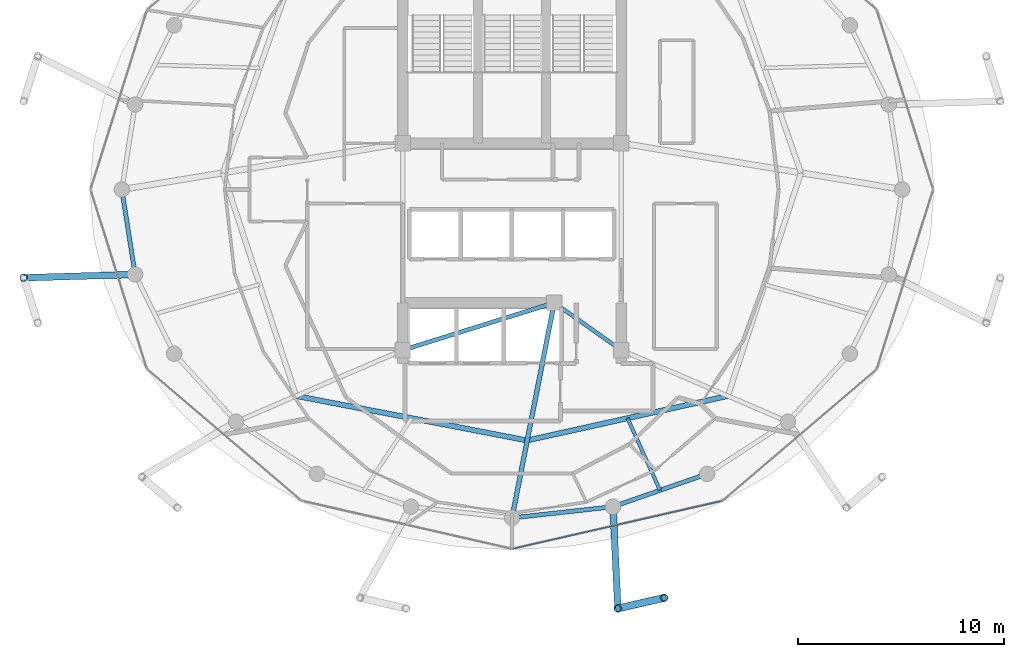
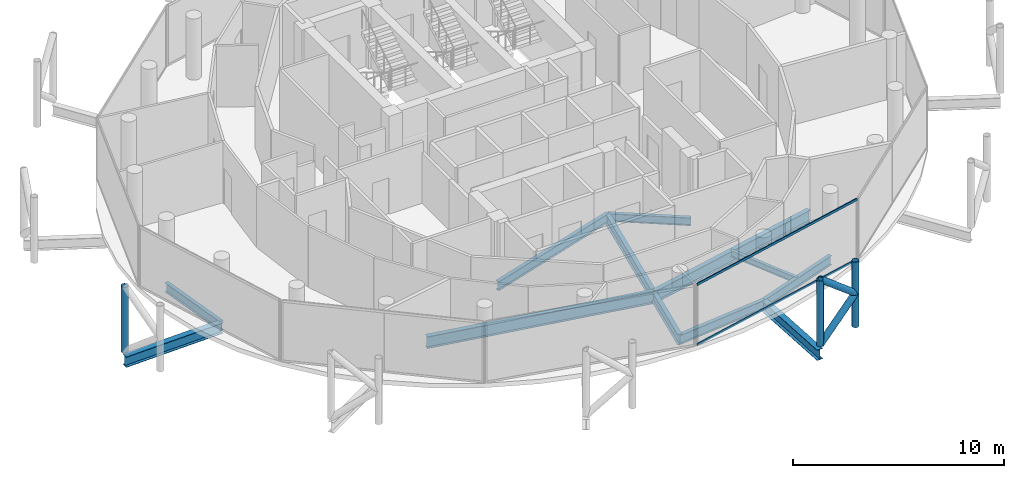
# One storey, part 5 of 24: 11 beams, 7 members, 1 element without a shape of its own.
"""IFC4 building model written with IfcOpenShell, lengths in metres."""

from ifc_helpers import new_model, si_unit, direction, frame, origin, origin_2d, place, context, subcontext, project, spatial, hollow_rectangle, hollow_circle, i_section, extrude, material, layer, layer_set, material_profile, profile_set, type_object, element, aggregate, save


model = new_model("IFC4")

# Units and contexts
model_context = context("Model", 3, precision=1e-05, world=origin(), true_north=direction((0.0, 1.0)))
body_context = subcontext(model_context, "Body", "Model", "MODEL_VIEW")
ifc_project = project(units=[si_unit("LENGTHUNIT", "METRE"), si_unit("AREAUNIT", "SQUARE_METRE"), si_unit("VOLUMEUNIT", "CUBIC_METRE"), si_unit("PLANEANGLEUNIT", "RADIAN"), si_unit("MASSUNIT", "GRAM", prefix="KILO")], contexts=[model_context])

# Site, building, storey
site_placement = place(None, origin())
site = spatial("IfcSite", under=ifc_project, at=site_placement, CompositionType="ELEMENT")
building_placement = place(site_placement, origin())
building = spatial("IfcBuilding", under=site, at=building_placement, Name="Nuhasar Tower", CompositionType="ELEMENT")
storey_placement = place(building_placement, frame((0.0, 0.0, 278.39990234375)))
storey = spatial("IfcBuildingStorey", under=building, at=storey_placement, Name="L69", CompositionType="ELEMENT", Elevation=278.39990234375)

# Beams
ifc_material_1 = material(Name="Steel S355", Category="steel")
ifc_material_profile_1 = material_profile(ifc_material_1, i_section(OverallWidth=0.25390625, OverallDepth=0.68408203125, WebThickness=0.012451171875, FlangeThickness=0.018798828125, at=origin_2d()), Name="W27X94")
ifc_profile_set_1 = profile_set([ifc_material_profile_1], Name="Steel S355")
beam_type_1 = type_object("IfcBeamType", Name="BM-INRING-W27X94", PredefinedType="BEAM", material=ifc_profile_set_1)
beam_1_placement = place(storey_placement, frame((28.51611328125, 16.77392578125, -0.601806640625), z_axis=(0.981944682954, -0.189168283859, 0.0), x_axis=(0.189168283859, 0.981944682954, 0.0)))
element("IfcBeam", 1, at=beam_1_placement, inside=storey, type_object=beam_type_1, Name="L69 Inner Header Beam 01", PredefinedType="BEAM", context=body_context, shape_type="SweptSolid", body=[
    extrude(i_section(OverallWidth=0.25390625, OverallDepth=0.68408203125, WebThickness=0.012451171875, FlangeThickness=0.018798828125, at=origin_2d()), origin(), (0.0, 0.0, 1.0), 11.42822265625),
])
beam_2_placement = place(storey_placement, frame((39.738037109375, 14.612060546875, -0.601806640625), z_axis=(0.97626927806, 0.216560145726, 0.0), x_axis=(-0.216560145726, 0.97626927806, 0.0)))
element("IfcBeam", 2, at=beam_2_placement, inside=storey, type_object=beam_type_1, Name="L69 Inner Header Beam 02", PredefinedType="BEAM", context=body_context, shape_type="SweptSolid", body=[
    extrude(i_section(OverallWidth=0.25390625, OverallDepth=0.68408203125, WebThickness=0.012451171875, FlangeThickness=0.018798828125, at=origin_2d()), origin(), (0.0, 0.0, 1.0), 9.982666015625),
])
ifc_material_profile_2 = material_profile(ifc_material_1, i_section(OverallWidth=0.1708984375, OverallDepth=0.35205078125, WebThickness=0.0068359375, FlangeThickness=0.009765625, at=origin_2d()), Name="W14X30")
ifc_profile_set_2 = profile_set([ifc_material_profile_2], Name="Steel S355")
beam_type_2 = type_object("IfcBeamType", Name="BM-JST-W14X30", PredefinedType="JOIST", material=ifc_profile_set_2)
beam_3_placement = place(storey_placement, frame((44.611083984375, 15.693115234375, -0.435791015625), z_axis=(0.41089033708, -0.911684776057, 0.0), x_axis=(0.911684776057, 0.41089033708, 0.0)))
element("IfcBeam", 3, at=beam_3_placement, inside=storey, type_object=beam_type_2, Name="L69 Secondary Floor Joist 02", PredefinedType="JOIST", context=body_context, shape_type="SweptSolid", body=[
    extrude(i_section(OverallWidth=0.1708984375, OverallDepth=0.35205078125, WebThickness=0.0068359375, FlangeThickness=0.009765625, at=origin_2d()), origin(), (0.0, 0.0, 1.0), 3.842529296875),
])
ifc_material_profile_3 = material_profile(ifc_material_1, i_section(OverallWidth=0.18994140625, OverallDepth=0.45703125, WebThickness=0.009033203125, FlangeThickness=0.014404296875, at=origin_2d()), Name="W18X50")
ifc_profile_set_3 = profile_set([ifc_material_profile_3], Name="Steel S355")
beam_type_3 = type_object("IfcBeamType", Name="BM-RAD-W18X50", PredefinedType="BEAM", material=ifc_profile_set_3)
beam_4_placement = place(storey_placement, frame((41.050048828125, 21.300048828125, -0.489013671875), z_axis=(0.816265428953, -0.577677028708, 0.0), x_axis=(0.577677028708, 0.816265428953, 0.0)))
element("IfcBeam", 4, at=beam_4_placement, inside=storey, type_object=beam_type_3, Name="L69 Core Ring Girder 2", PredefinedType="BEAM", context=body_context, shape_type="SweptSolid", body=[
    extrude(i_section(OverallWidth=0.18994140625, OverallDepth=0.45703125, WebThickness=0.009033203125, FlangeThickness=0.014404296875, at=origin_2d()), origin(), (0.0, 0.0, 1.0), 3.9814453125),
])
ifc_material_profile_4 = material_profile(ifc_material_1, i_section(OverallWidth=0.208984375, OverallDepth=0.528076171875, WebThickness=0.009521484375, FlangeThickness=0.01318359375, at=origin_2d()), Name="W21X55")
ifc_profile_set_4 = profile_set([ifc_material_profile_4], Name="Steel S355")
beam_type_4 = type_object("IfcBeamType", Name="BM-RAD-W21X55", PredefinedType="BEAM", material=ifc_profile_set_4)
beam_5_placement = place(storey_placement, frame((33.699951171875, 19.0, -0.52392578125), z_axis=(0.954363709454, 0.298646798205, 0.0), x_axis=(-0.298646798205, 0.954363709454, 0.0)))
element("IfcBeam", 5, at=beam_5_placement, inside=storey, type_object=beam_type_4, Name="L69 Core Ring Girder 1", PredefinedType="BEAM", context=body_context, shape_type="SweptSolid", body=[
    extrude(i_section(OverallWidth=0.208984375, OverallDepth=0.528076171875, WebThickness=0.009521484375, FlangeThickness=0.01318359375, at=origin_2d()), origin(), (0.0, 0.0, 1.0), 7.70166015625),
])
ifc_material_profile_5 = material_profile(ifc_material_1, i_section(OverallWidth=0.22900390625, OverallDepth=0.612060546875, WebThickness=0.011962890625, FlangeThickness=0.01953125, at=origin_2d()), Name="W24X84")
ifc_profile_set_5 = profile_set([ifc_material_profile_5], Name="Steel S355")
beam_type_5 = type_object("IfcBeamType", Name="BM-RAD-W24X84", PredefinedType="BEAM", material=ifc_profile_set_5)
beam_6_placement = place(storey_placement, frame((41.050048828125, 21.300048828125, -0.56591796875), z_axis=(-0.192508395576, -0.981295326409, 0.0), x_axis=(0.981295326409, -0.192508395576, 0.0)))
element("IfcBeam", 6, at=beam_6_placement, inside=storey, type_object=beam_type_5, Name="L69 Radial Floor Girder 02", PredefinedType="BEAM", context=body_context, shape_type="SweptSolid", body=[
    extrude(i_section(OverallWidth=0.22900390625, OverallDepth=0.612060546875, WebThickness=0.011962890625, FlangeThickness=0.01953125, at=origin_2d()), origin(), (0.0, 0.0, 1.0), 10.649169921875),
])
ifc_material_profile_6 = material_profile(ifc_material_1, i_section(OverallWidth=0.2099609375, OverallDepth=0.537109375, WebThickness=0.010986328125, FlangeThickness=0.017333984375, at=origin_2d()), Name="W21X68")
ifc_profile_set_6 = profile_set([ifc_material_profile_6], Name="Steel S355")
beam_type_6 = type_object("IfcBeamType", Name="BM-RING-W21X68", PredefinedType="SPANDREL", material=ifc_profile_set_6)
beam_7_placement = place(storey_placement, frame((20.050048828125, 26.800048828125, -0.52880859375), z_axis=(0.154612165232, -0.987975241776, 0.0), x_axis=(0.987975241776, 0.154612165232, 0.0)))
element("IfcBeam", 7, at=beam_7_placement, inside=storey, type_object=beam_type_6, Name="L69 Perimeter Ring Spandrel 13", PredefinedType="SPANDREL", context=body_context, shape_type="SweptSolid", body=[
    extrude(i_section(OverallWidth=0.2099609375, OverallDepth=0.537109375, WebThickness=0.010986328125, FlangeThickness=0.017333984375, at=origin_2d()), origin(), (0.0, 0.0, 1.0), 4.17822265625),
])
beam_8_placement = place(storey_placement, frame((39.0, 10.85009765625, -0.52880859375), z_axis=(0.99392889943, 0.110024283128, 0.0), x_axis=(-0.110024283128, 0.99392889943, 0.0)))
element("IfcBeam", 8, at=beam_8_placement, inside=storey, type_object=beam_type_6, Name="L69 Perimeter Ring Spandrel 19", PredefinedType="SPANDREL", context=body_context, shape_type="SweptSolid", body=[
    extrude(i_section(OverallWidth=0.2099609375, OverallDepth=0.537109375, WebThickness=0.010986328125, FlangeThickness=0.017333984375, at=origin_2d()), origin(), (0.0, 0.0, 1.0), 4.93505859375),
])
beam_9_placement = place(storey_placement, frame((43.905029296875, 11.39306640625, -0.52880859375), z_axis=(0.944214043504, 0.329332415729, 0.0), x_axis=(-0.329332415729, 0.944214043504, 0.0)))
element("IfcBeam", 9, at=beam_9_placement, inside=storey, type_object=beam_type_6, Name="L69 Perimeter Ring Spandrel 20", PredefinedType="SPANDREL", context=body_context, shape_type="SweptSolid", body=[
    extrude(i_section(OverallWidth=0.2099609375, OverallDepth=0.537109375, WebThickness=0.010986328125, FlangeThickness=0.017333984375, at=origin_2d()), origin(), (0.0, 0.0, 1.0), 4.840087890625),
])
ifc_material_profile_7 = material_profile(ifc_material_1, i_section(OverallWidth=0.323974609375, OverallDepth=0.611083984375, WebThickness=0.0126953125, FlangeThickness=0.01904296875, at=origin_2d()), Name="W24X104")
ifc_profile_set_7 = profile_set([ifc_material_profile_7], Name="Steel S355")
beam_type_7 = type_object("IfcBeamType", Name="BM-TIE-W24X104", PredefinedType="BEAM", material=ifc_profile_set_7)
beam_10_placement = place(storey_placement, frame((20.696044921875, 22.672119140625, -0.56591796875), z_axis=(-0.999573346236, -0.029208312065, 0.0), x_axis=(0.029208312065, -0.999573346236, 0.0)))
element("IfcBeam", 10, at=beam_10_placement, inside=storey, type_object=beam_type_7, Name="L69 Exoskeleton Node Tie Beam 07", PredefinedType="BEAM", context=body_context, shape_type="SweptSolid", body=[
    extrude(i_section(OverallWidth=0.323974609375, OverallDepth=0.611083984375, WebThickness=0.0126953125, FlangeThickness=0.01904296875, at=origin_2d()), origin(), (0.0, 0.0, 1.0), 5.416259765625),
])
beam_11_placement = place(storey_placement, frame((43.905029296875, 11.39306640625, -0.56591796875), z_axis=(0.048109027225, -0.998842090372, 0.0), x_axis=(0.998842090372, 0.048109027225, 0.0)))
element("IfcBeam", 11, at=beam_11_placement, inside=storey, type_object=beam_type_7, Name="L69 Exoskeleton Node Tie Beam 10", PredefinedType="BEAM", context=body_context, shape_type="SweptSolid", body=[
    extrude(i_section(OverallWidth=0.323974609375, OverallDepth=0.611083984375, WebThickness=0.0126953125, FlangeThickness=0.01904296875, at=origin_2d()), origin(), (0.0, 0.0, 1.0), 4.94775390625),
])

# Curtain wall, members
ifc_material_2 = material(Name="Aluminium 6063-T6", Category="aluminium")
ifc_layer = layer(ifc_material_2, 0.18994140625)
ifc_layer_set = layer_set([ifc_layer], Name="Aluminium 6063-T6")
curtain_wall_type = type_object("IfcCurtainWallType", Name="CW-Z4-PEN", PredefinedType="NOTDEFINED", material=ifc_layer_set)
curtain_wall_placement = place(storey_placement, origin())
curtain_wall = element("IfcCurtainWall", 12, at=curtain_wall_placement, inside=storey, type_object=curtain_wall_type, Name="L69 Unitised Curtain Wall 10", PredefinedType="NOTDEFINED")
ifc_material_profile_8 = material_profile(ifc_material_2, hollow_rectangle(XDim=0.06005859375, YDim=0.135009765625, WallThickness=0.00439453125, at=origin_2d()), Name="CWT-5")
ifc_profile_set_8 = profile_set([ifc_material_profile_8], Name="Aluminium 6063-T6")
member_type_1 = type_object("IfcMemberType", Name="CW-TRN-S5", PredefinedType="USERDEFINED", material=ifc_profile_set_8)
member_1_placement = place(storey_placement, frame((39.05859375, 9.353271484375, 0.030029296875), z_axis=(0.974843752401, 0.222889341163, 0.0), x_axis=(-0.222889341163, 0.974843752401, 0.0)))
member_1 = element("IfcMember", 13, at=member_1_placement, type_object=member_type_1, Name="CW-Z4 transom 1.1", ObjectType="TRANSOM", PredefinedType="USERDEFINED", context=body_context, shape_type="SweptSolid", body=[
    extrude(hollow_rectangle(XDim=0.06005859375, YDim=0.135009765625, WallThickness=0.00439453125, at=origin_2d()), origin(), (0.0, 0.0, 1.0), 10.3740234375),
])
member_2_placement = place(storey_placement, frame((39.05859375, 9.353271484375, 3.510009765625), z_axis=(0.974843752401, 0.222889341163, 0.0), x_axis=(-0.222889341163, 0.974843752401, 0.0)))
member_2 = element("IfcMember", 14, at=member_2_placement, type_object=member_type_1, Name="CW-Z4 transom 1.2", ObjectType="TRANSOM", PredefinedType="USERDEFINED", context=body_context, shape_type="SweptSolid", body=[
    extrude(hollow_rectangle(XDim=0.06005859375, YDim=0.135009765625, WallThickness=0.00439453125, at=origin_2d()), origin(), (0.0, 0.0, 1.0), 10.3740234375),
])
aggregate(curtain_wall, [member_1, member_2])

# Members
ifc_material_3 = material(Name="Steel S460", Category="steel")
ifc_material_profile_9 = material_profile(ifc_material_3, hollow_circle(Radius=0.177734375, WallThickness=0.015869140625, at=origin_2d()), Name="HSS355.6X15.9")
ifc_profile_set_9 = profile_set([ifc_material_profile_9], Name="Steel S460")
member_type_2 = type_object("IfcMemberType", Name="EXO-BRONZE-356", PredefinedType="BRACE", material=ifc_profile_set_9)
for number, where, z_axis, x_axis, name in (
    (15, (15.281982421875, 22.513916015625, 0.0), (0.0, 0.0, 1.0), (1.0, 0.0, 0.0), "L69 Exoskeleton Chord Column EC-07A"),
    (16, (44.14306640625, 6.450927734375, 0.0), (0.0, 0.0, 1.0), (1.0, 0.0, 0.0), "L69 Exoskeleton Chord Column EC-10A"),
    (17, (46.384033203125, 6.967041015625, 0.0), (0.0, 0.0, 1.0), (1.0, 0.0, 0.0), "L69 Exoskeleton Chord Column EC-10B"),
):
    element("IfcMember", number, at=place(storey_placement, frame(where, z_axis=z_axis, x_axis=x_axis)), inside=storey, type_object=member_type_2, Name=name, PredefinedType="BRACE", context=body_context, shape_type="SweptSolid", body=[
        extrude(hollow_circle(Radius=0.177734375, WallThickness=0.015869140625, at=origin_2d()), origin(), (0.0, 0.0, 1.0), 3.800048828125),
    ])
member_3_placement = place(storey_placement, frame((44.14306640625, 6.450927734375, 0.0), z_axis=(0.751221815951, 0.173012628709, 0.636971281571), x_axis=(-0.224433035437, 0.97448951385, 0.0)))
element("IfcMember", 18, at=member_3_placement, inside=storey, type_object=member_type_2, Name="L69 Bronze Diagrid Brace W1-10", PredefinedType="BRACE", context=body_context, shape_type="SweptSolid", body=[
    extrude(hollow_circle(Radius=0.177734375, WallThickness=0.015869140625, at=origin_2d()), origin(), (0.0, 0.0, 1.0), 2.983154296875),
])
member_4_placement = place(storey_placement, frame((46.384033203125, 6.967041015625, 1.900146484375), z_axis=(-0.751260978137, -0.173021648086, 0.636922642103), x_axis=(0.224433035437, -0.97448951385, 0.0)))
element("IfcMember", 19, at=member_4_placement, inside=storey, type_object=member_type_2, Name="L69 Bronze Diagrid Brace W2-10", PredefinedType="BRACE", context=body_context, shape_type="SweptSolid", body=[
    extrude(hollow_circle(Radius=0.177734375, WallThickness=0.015869140625, at=origin_2d()), origin(), (0.0, 0.0, 1.0), 2.98291015625),
])

save(model, "model.ifc")
